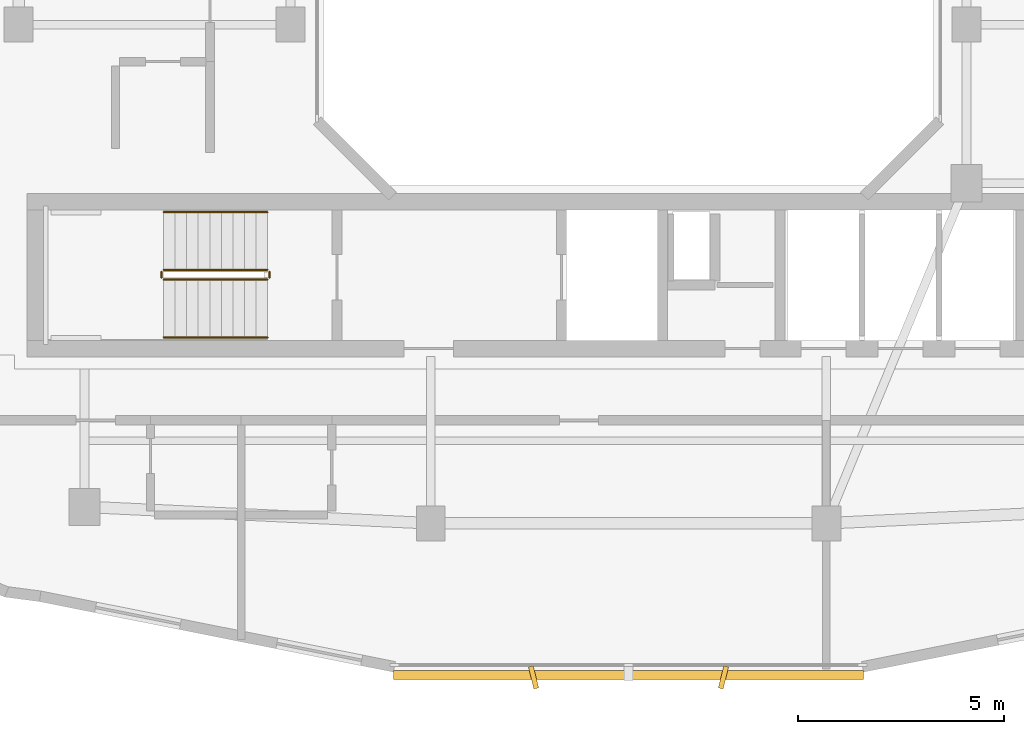
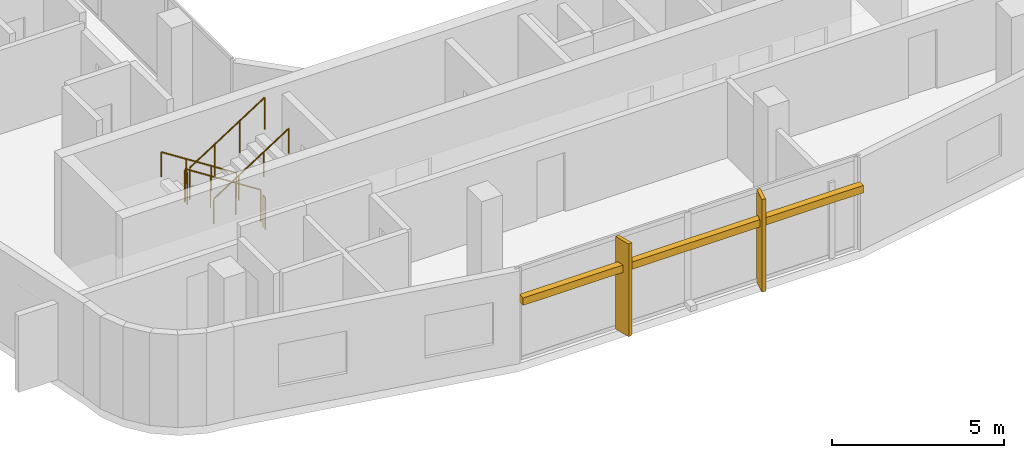
# One storey, part 10 of 13: 6 railings, 3 shading devices.
"""IFC4 building model written with IfcOpenShell, lengths in metres."""

from ifc_helpers import new_model, si_unit, derived_unit, direction, frame, origin, origin_2d, place, context, subcontext, project, spatial, rectangle, circle, extrude, material, type_object, element, save


model = new_model("IFC4")

# Units and contexts
model_context = context("Model", 3, precision=1e-05, world=origin(), true_north=direction((0.0, 1.0)))
body_context = subcontext(model_context, "Body", "Model", "MODEL_VIEW")
ifc_project = project(units=[si_unit("LENGTHUNIT", "METRE"), si_unit("AREAUNIT", "SQUARE_METRE"), si_unit("VOLUMEUNIT", "CUBIC_METRE"), si_unit("PLANEANGLEUNIT", "RADIAN"), si_unit("MASSUNIT", "GRAM", prefix="KILO"), derived_unit("THERMALTRANSMITTANCEUNIT", [(si_unit("POWERUNIT", "WATT"), 1), (si_unit("LENGTHUNIT", "METRE"), -2), (si_unit("THERMODYNAMICTEMPERATUREUNIT", "KELVIN"), -1)])], contexts=[model_context])

# Site, building, storey
site_placement = place(None, origin())
site = spatial("IfcSite", under=ifc_project, at=site_placement, CompositionType="ELEMENT")
building_placement = place(site_placement, origin())
building = spatial("IfcBuilding", under=site, at=building_placement, Name="Kivonza Crest Hotel", CompositionType="ELEMENT")
storey_placement = place(building_placement, frame((0.0, 0.0, 235.10009765625)))
storey = spatial("IfcBuildingStorey", under=building, at=storey_placement, Name="L64", CompositionType="ELEMENT", Elevation=235.10009765625)

# Railings
ifc_material_1 = material(Name="Brushed stainless steel handrail", Category="steel")
railing_type_1 = type_object("IfcRailingType", Name="RL-HAND-900", PredefinedType="HANDRAIL", material=ifc_material_1)
railing_1_placement = place(storey_placement, frame((12.239990234375, 16.949951171875, 0.179931640625)))
element("IfcRailing", 1, at=railing_1_placement, inside=storey, type_object=railing_type_1, Name="L64 ST-T1-S stair handrail 1", PredefinedType="HANDRAIL", context=body_context, shape_type="SweptSolid", body=[
    extrude(circle(Radius=0.02392578125, at=origin_2d()), frame((0.0, 0.0, 0.8759765625), z_axis=(-0.841199657755, 0.0, 0.540724639528), x_axis=(0.0, -1.0, 0.0)), (0.0, 0.0, 1.0), 2.995849609375),
    extrude(circle(Radius=0.02099609375, at=origin_2d()), origin(), (0.0, 0.0, 1.0), 0.851806640625),
    extrude(circle(Radius=0.02099609375, at=origin_2d()), frame((-0.840087890625, 0.0, 0.5400390625)), (0.0, 0.0, 1.0), 0.851806640625),
    extrude(circle(Radius=0.02099609375, at=origin_2d()), frame((-1.679931640625, 0.0, 1.079833984375)), (0.0, 0.0, 1.0), 0.851806640625),
    extrude(circle(Radius=0.02099609375, at=origin_2d()), frame((-2.52001953125, 0.0, 1.619873046875)), (0.0, 0.0, 1.0), 0.851806640625),
])
railing_2_placement = place(storey_placement, frame((9.719970703125, 13.909912109375, 1.97998046875)))
element("IfcRailing", 2, at=railing_2_placement, inside=storey, type_object=railing_type_1, Name="L64 ST-T1-S stair handrail 2", PredefinedType="HANDRAIL", context=body_context, shape_type="SweptSolid", body=[
    extrude(circle(Radius=0.02392578125, at=origin_2d()), frame((0.0, 0.0, 0.8759765625), z_axis=(0.841199657755, 0.0, 0.540724639528), x_axis=(0.0, 1.0, 0.0)), (0.0, 0.0, 1.0), 2.995849609375),
    extrude(circle(Radius=0.02099609375, at=origin_2d()), origin(), (0.0, 0.0, 1.0), 0.851806640625),
    extrude(circle(Radius=0.02099609375, at=origin_2d()), frame((0.840087890625, 0.0, 0.5400390625)), (0.0, 0.0, 1.0), 0.851806640625),
    extrude(circle(Radius=0.02099609375, at=origin_2d()), frame((1.679931640625, 0.0, 1.079833984375)), (0.0, 0.0, 1.0), 0.851806640625),
    extrude(circle(Radius=0.02099609375, at=origin_2d()), frame((2.52001953125, 0.0, 1.619873046875)), (0.0, 0.0, 1.0), 0.851806640625),
])
ifc_material_2 = material(Name="Painted steel balustrade", Category="steel")
railing_type_2 = type_object("IfcRailingType", Name="RL-STAIR-1150", PredefinedType="BALUSTRADE", material=ifc_material_2)
railing_3_placement = place(storey_placement, frame((12.239990234375, 15.550048828125, 0.179931640625)))
element("IfcRailing", 3, at=railing_3_placement, inside=storey, type_object=railing_type_2, Name="L64 ST-T1-S stair guard 1", PredefinedType="BALUSTRADE", context=body_context, shape_type="SweptSolid", body=[
    extrude(circle(Radius=0.02392578125, at=origin_2d()), frame((0.0, 0.0, 1.1259765625), z_axis=(-0.841199657755, 0.0, 0.540724639528), x_axis=(0.0, -1.0, 0.0)), (0.0, 0.0, 1.0), 2.995849609375),
    extrude(circle(Radius=0.02099609375, at=origin_2d()), origin(), (0.0, 0.0, 1.0), 1.101806640625),
    extrude(circle(Radius=0.02099609375, at=origin_2d()), frame((-0.840087890625, 0.0, 0.5400390625)), (0.0, 0.0, 1.0), 1.101806640625),
    extrude(circle(Radius=0.02099609375, at=origin_2d()), frame((-1.679931640625, 0.0, 1.079833984375)), (0.0, 0.0, 1.0), 1.101806640625),
    extrude(circle(Radius=0.02099609375, at=origin_2d()), frame((-2.52001953125, 0.0, 1.619873046875)), (0.0, 0.0, 1.0), 1.101806640625),
])
railing_4_placement = place(storey_placement, frame((9.669921875, 15.5, 1.7998046875)))
element("IfcRailing", 4, at=railing_4_placement, inside=storey, type_object=railing_type_2, Name="L64 ST-T1-S stair guard 2", PredefinedType="BALUSTRADE", context=body_context, shape_type="SweptSolid", body=[
    extrude(circle(Radius=0.02392578125, at=origin_2d()), frame((0.0, 0.0, 1.1259765625), z_axis=(0.0, -1.0, 0.0), x_axis=(1.0, 0.0, 0.0)), (0.0, 0.0, 1.0), 0.139892578125),
    extrude(circle(Radius=0.02099609375, at=origin_2d()), origin(), (0.0, 0.0, 1.0), 1.101806640625),
    extrude(circle(Radius=0.02099609375, at=origin_2d()), frame((0.0, -0.139892578125, 0.0)), (0.0, 0.0, 1.0), 1.101806640625),
])
railing_5_placement = place(storey_placement, frame((9.719970703125, 15.31005859375, 1.97998046875)))
element("IfcRailing", 5, at=railing_5_placement, inside=storey, type_object=railing_type_2, Name="L64 ST-T1-S stair guard 3", PredefinedType="BALUSTRADE", context=body_context, shape_type="SweptSolid", body=[
    extrude(circle(Radius=0.02392578125, at=origin_2d()), frame((0.0, 0.0, 1.1259765625), z_axis=(0.841199657755, 0.0, 0.540724639528), x_axis=(0.0, 1.0, 0.0)), (0.0, 0.0, 1.0), 2.995849609375),
    extrude(circle(Radius=0.02099609375, at=origin_2d()), origin(), (0.0, 0.0, 1.0), 1.101806640625),
    extrude(circle(Radius=0.02099609375, at=origin_2d()), frame((0.840087890625, 0.0, 0.5400390625)), (0.0, 0.0, 1.0), 1.101806640625),
    extrude(circle(Radius=0.02099609375, at=origin_2d()), frame((1.679931640625, 0.0, 1.079833984375)), (0.0, 0.0, 1.0), 1.101806640625),
    extrude(circle(Radius=0.02099609375, at=origin_2d()), frame((2.52001953125, 0.0, 1.619873046875)), (0.0, 0.0, 1.0), 1.101806640625),
])
railing_6_placement = place(storey_placement, frame((12.2900390625, 15.5, 0.0)))
element("IfcRailing", 6, at=railing_6_placement, inside=storey, type_object=railing_type_2, Name="L64 ST-T1-S stair guard 4", PredefinedType="BALUSTRADE", context=body_context, shape_type="SweptSolid", body=[
    extrude(circle(Radius=0.02392578125, at=origin_2d()), frame((0.0, 0.0, 1.1259765625), z_axis=(0.0, -1.0, 0.0), x_axis=(1.0, 0.0, 0.0)), (0.0, 0.0, 1.0), 0.139892578125),
    extrude(circle(Radius=0.02099609375, at=origin_2d()), origin(), (0.0, 0.0, 1.0), 1.101806640625),
    extrude(circle(Radius=0.02099609375, at=origin_2d()), frame((0.0, -0.139892578125, 0.0)), (0.0, 0.0, 1.0), 1.101806640625),
])

# Shading devices
ifc_material_3 = material(Name="Kiln-fired Nairobi red-ochre terracotta", Category="masonry")
shading_device_type_1 = type_object("IfcShadingDeviceType", Name="SH-BAGUETTE-300", PredefinedType="USERDEFINED", material=ifc_material_3)
shading_device_placement = place(storey_placement, frame((21.0, 5.719970703125, 2.166015625), z_axis=(0.0, 0.0, 1.0), x_axis=(1.0, 0.0, 0.0)))
element("IfcShadingDevice", 7, at=shading_device_placement, inside=storey, type_object=shading_device_type_1, Name="L64 terracotta baguette screen CW-T1-L64-08", ObjectType="BAGUETTE", PredefinedType="USERDEFINED", context=body_context, shape_type="SweptSolid", body=[
    extrude(rectangle(XDim=11.39990234375, YDim=0.219970703125, at=origin_2d()), origin(), (0.0, 0.0, 1.0), 0.260009765625),
])
ifc_material_4 = material(Name="Kiln-fired terracotta over extruded aluminium spine", Category="masonry")
shading_device_type_2 = type_object("IfcShadingDeviceType", Name="SH-FIN-550", PredefinedType="USERDEFINED", material=ifc_material_4)
for number, where, z_axis, x_axis, name in (
    (8, (18.696044921875, 5.659912109375, 0.0), (0.0, 0.0, 1.0), (0.970295726276, 0.2419218956, 0.0), "L64 vertical solar shading fin CW-T1-L64-08-1"),
    (9, (23.303955078125, 5.659912109375, 0.0), (0.0, 0.0, 1.0), (0.970295726276, -0.2419218956, 0.0), "L64 vertical solar shading fin CW-T1-L64-08-2"),
):
    element("IfcShadingDevice", number, at=place(storey_placement, frame(where, z_axis=z_axis, x_axis=x_axis)), inside=storey, type_object=shading_device_type_2, Name=name, ObjectType="FIN", PredefinedType="USERDEFINED", context=body_context, shape_type="SweptSolid", body=[
        extrude(rectangle(XDim=0.1201171875, YDim=0.550048828125, at=origin_2d()), origin(), (0.0, 0.0, 1.0), 3.280029296875),
    ])

save(model, "model.ifc")
